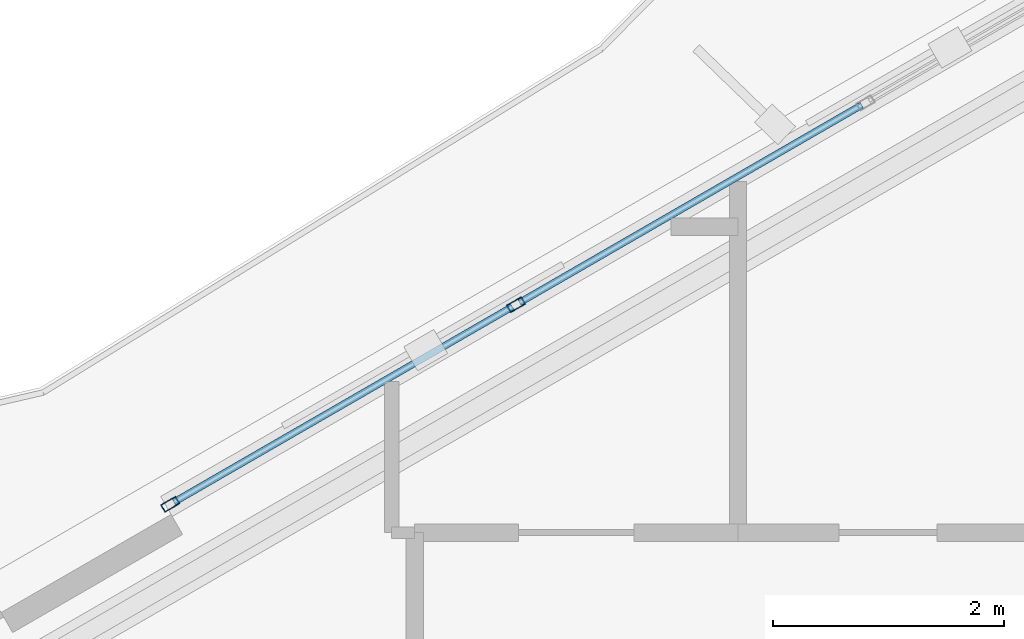
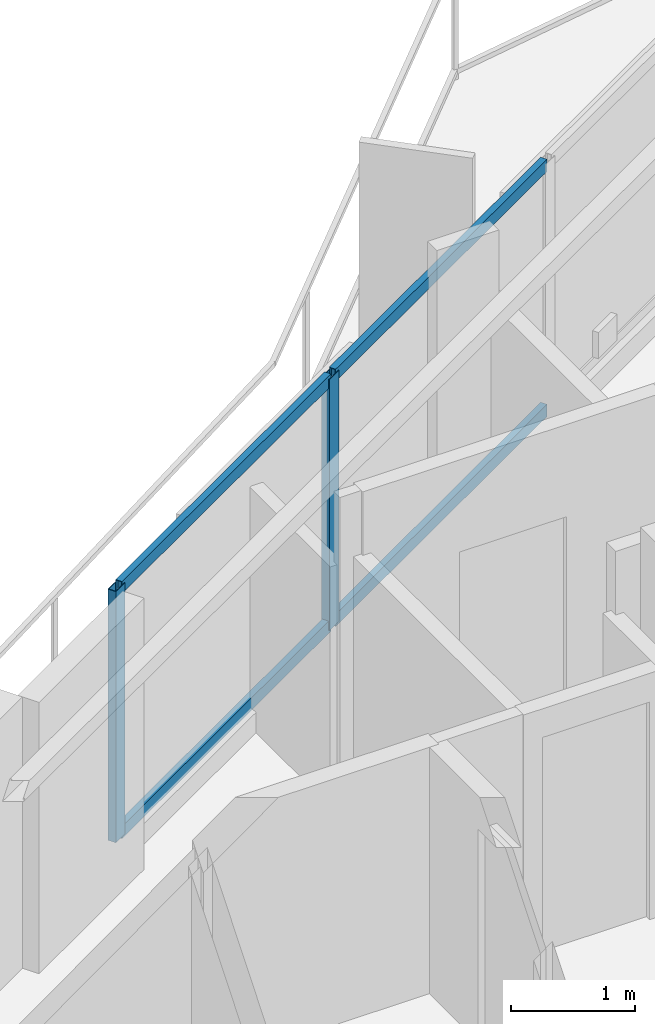
# One storey, part 5 of 19: 6 members, 1 element without a shape of its own.
"""IFC4 building model written with IfcOpenShell, lengths in metres."""

from ifc_helpers import new_model, si_unit, direction, frame, origin, origin_2d, place, context, subcontext, project, spatial, hollow_rectangle, extrude, material, layer, layer_set, material_profile, profile_set, type_object, element, aggregate, save


model = new_model("IFC4")

# Units and contexts
model_context = context("Model", 3, precision=1e-05, world=origin(), true_north=direction((0.0, 1.0)))
body_context = subcontext(model_context, "Body", "Model", "MODEL_VIEW")
ifc_project = project(units=[si_unit("LENGTHUNIT", "METRE"), si_unit("AREAUNIT", "SQUARE_METRE"), si_unit("VOLUMEUNIT", "CUBIC_METRE"), si_unit("PLANEANGLEUNIT", "RADIAN"), si_unit("MASSUNIT", "GRAM", prefix="KILO")], contexts=[model_context])

# Site, building, storey
site_placement = place(None, origin())
site = spatial("IfcSite", under=ifc_project, at=site_placement, CompositionType="ELEMENT")
building_placement = place(site_placement, origin())
building = spatial("IfcBuilding", under=site, at=building_placement, Name="Mersakhor Tower and Convention Hall", CompositionType="ELEMENT")
storey_placement = place(building_placement, frame((0.0, 0.0, 141.0)))
storey = spatial("IfcBuildingStorey", under=building, at=storey_placement, Name="L39", CompositionType="ELEMENT", Elevation=141.0)

# Curtain wall, members
ifc_material_1 = material(Name="Dark solar low-E aluminium curtain wall", Category="aluminium")
ifc_layer = layer(ifc_material_1, 0.169921875)
ifc_layer_set = layer_set([ifc_layer], Name="Dark solar low-E aluminium curtain wall")
curtain_wall_type = type_object("IfcCurtainWallType", Name="CW-SYS-02", PredefinedType="USERDEFINED", material=ifc_layer_set)
curtain_wall_placement = place(storey_placement, origin())
curtain_wall = element("IfcCurtainWall", 1, at=curtain_wall_placement, inside=storey, type_object=curtain_wall_type, Name="L39 Dark-Glass Curtain Wall F1-B2", ObjectType="CURTAIN WALL", PredefinedType="USERDEFINED")
ifc_material_2 = material(Name="Anodised aluminium EN AW-6063 T6", Category="aluminium")
ifc_material_profile_1 = material_profile(ifc_material_2, hollow_rectangle(XDim=0.074951171875, YDim=0.14990234375, WallThickness=0.00634765625, at=origin_2d()), Name="RHS 150x75x6.3")
ifc_profile_set_1 = profile_set([ifc_material_profile_1], Name="Anodised aluminium EN AW-6063 T6")
member_type_1 = type_object("IfcMemberType", Name="CWM-150x75", PredefinedType="MULLION", material=ifc_profile_set_1)
member_1_placement = place(storey_placement, frame((17.88232421875, 35.595458984375, 0.199951171875), z_axis=(0.0, 0.0, 1.0), x_axis=(-0.499990468363, 0.866030906807, 0.0)))
member_1 = element("IfcMember", 2, at=member_1_placement, type_object=member_type_1, Name="CW-02 mullion 1", PredefinedType="MULLION", context=body_context, shape_type="SweptSolid", body=[
    extrude(hollow_rectangle(XDim=0.074951171875, YDim=0.14990234375, WallThickness=0.00634765625, at=origin_2d()), origin(), (0.0, 0.0, 1.0), 2.47998046875),
])
member_2_placement = place(storey_placement, frame((20.876953125, 37.32421875, 0.199951171875), z_axis=(0.0, 0.0, 1.0), x_axis=(-0.499990468363, 0.866030906807, 0.0)))
member_2 = element("IfcMember", 3, at=member_2_placement, type_object=member_type_1, Name="CW-02 mullion 2", PredefinedType="MULLION", context=body_context, shape_type="SweptSolid", body=[
    extrude(hollow_rectangle(XDim=0.074951171875, YDim=0.14990234375, WallThickness=0.00634765625, at=origin_2d()), origin(), (0.0, 0.0, 1.0), 2.47998046875),
])
ifc_material_3 = material(Name="Anodised aluminium EN AW-6063 T6", Category="aluminium")
ifc_material_profile_2 = material_profile(ifc_material_3, hollow_rectangle(XDim=0.06005859375, YDim=0.1201171875, WallThickness=0.0048828125, at=origin_2d()), Name="RHS 120x60x5")
ifc_profile_set_2 = profile_set([ifc_material_profile_2], Name="Anodised aluminium EN AW-6063 T6")
member_type_2 = type_object("IfcMemberType", Name="CWT-120x60", PredefinedType="USERDEFINED", material=ifc_profile_set_2)
member_3_placement = place(storey_placement, frame((17.914794921875, 35.6142578125, 0.22998046875), z_axis=(0.866031754707, 0.499988999718, 0.0), x_axis=(-0.499988999718, 0.866031754707, 0.0)))
member_3 = element("IfcMember", 4, at=member_3_placement, type_object=member_type_2, Name="CW-02 transom 1.1", ObjectType="TRANSOM", PredefinedType="USERDEFINED", context=body_context, shape_type="SweptSolid", body=[
    extrude(hollow_rectangle(XDim=0.06005859375, YDim=0.1201171875, WallThickness=0.0048828125, at=origin_2d()), origin(), (0.0, 0.0, 1.0), 3.3828125),
])
member_4_placement = place(storey_placement, frame((17.914794921875, 35.6142578125, 2.64990234375), z_axis=(0.866031754707, 0.499988999718, 0.0), x_axis=(-0.499988999718, 0.866031754707, 0.0)))
member_4 = element("IfcMember", 5, at=member_4_placement, type_object=member_type_2, Name="CW-02 transom 1.2", ObjectType="TRANSOM", PredefinedType="USERDEFINED", context=body_context, shape_type="SweptSolid", body=[
    extrude(hollow_rectangle(XDim=0.06005859375, YDim=0.1201171875, WallThickness=0.0048828125, at=origin_2d()), origin(), (0.0, 0.0, 1.0), 3.3828125),
])
member_5_placement = place(storey_placement, frame((20.909423828125, 37.343017578125, 0.22998046875), z_axis=(0.866007273829, 0.50003140069, 0.0), x_axis=(-0.50003140069, 0.866007273829, 0.0)))
member_5 = element("IfcMember", 6, at=member_5_placement, type_object=member_type_2, Name="CW-02 transom 2.1", ObjectType="TRANSOM", PredefinedType="USERDEFINED", context=body_context, shape_type="SweptSolid", body=[
    extrude(hollow_rectangle(XDim=0.06005859375, YDim=0.1201171875, WallThickness=0.0048828125, at=origin_2d()), origin(), (0.0, 0.0, 1.0), 3.420166015625),
])
member_6_placement = place(storey_placement, frame((20.909423828125, 37.343017578125, 2.64990234375), z_axis=(0.866007273829, 0.50003140069, 0.0), x_axis=(-0.50003140069, 0.866007273829, 0.0)))
member_6 = element("IfcMember", 7, at=member_6_placement, type_object=member_type_2, Name="CW-02 transom 2.2", ObjectType="TRANSOM", PredefinedType="USERDEFINED", context=body_context, shape_type="SweptSolid", body=[
    extrude(hollow_rectangle(XDim=0.06005859375, YDim=0.1201171875, WallThickness=0.0048828125, at=origin_2d()), origin(), (0.0, 0.0, 1.0), 3.420166015625),
])
aggregate(curtain_wall, [member_1, member_2, member_3, member_4, member_5, member_6])

save(model, "model.ifc")
